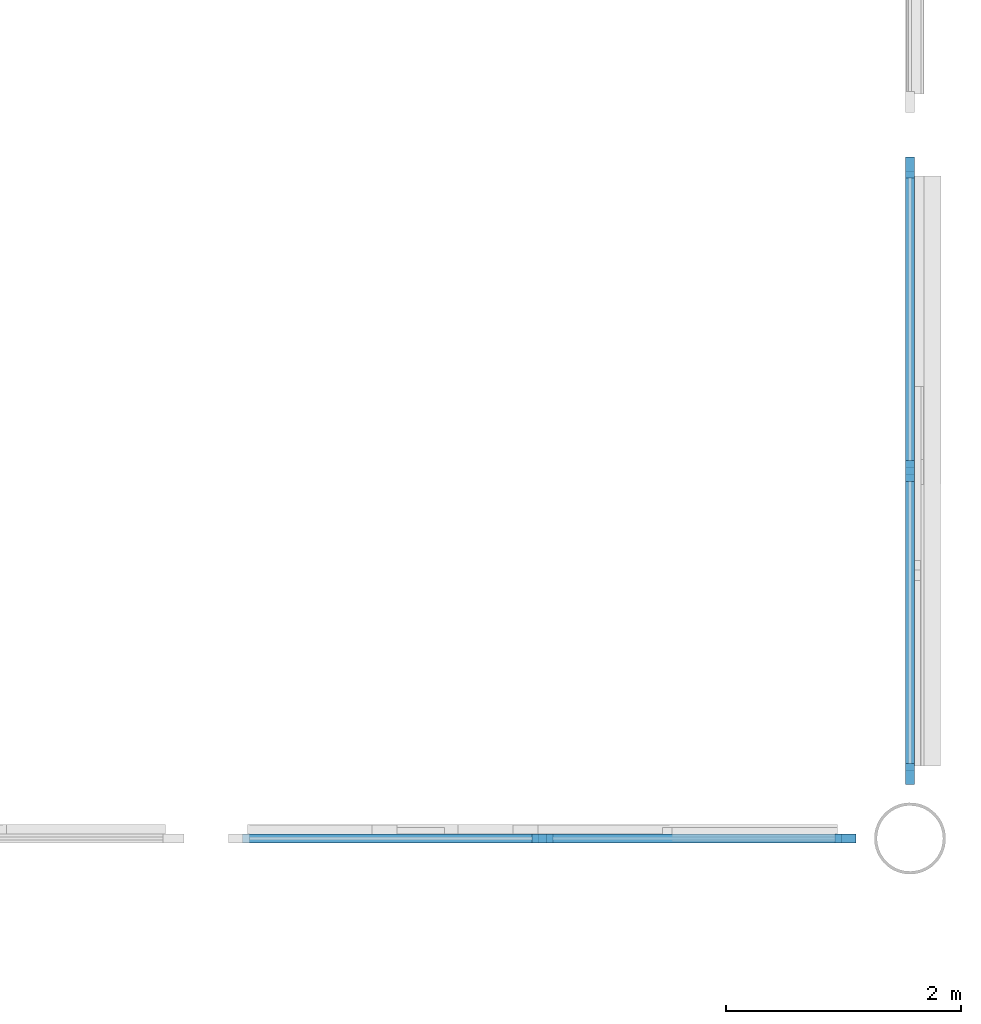
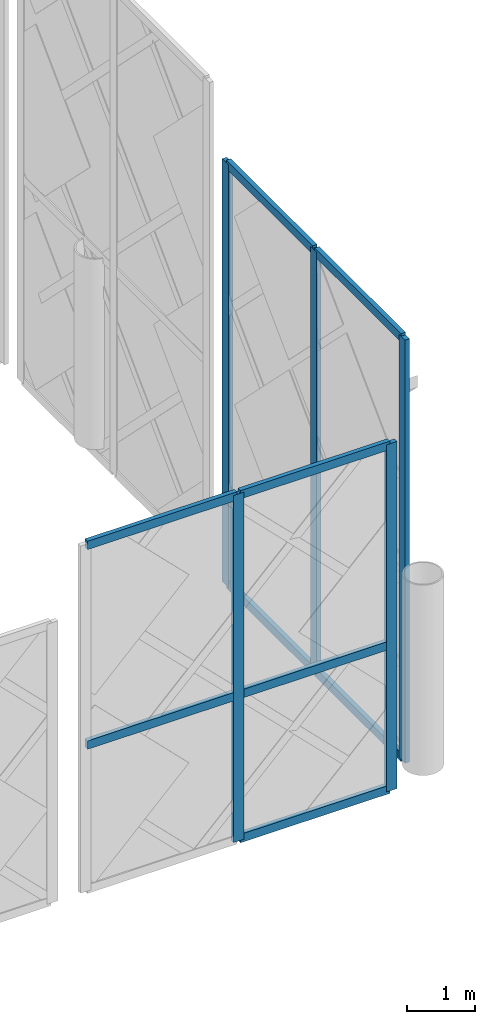
# One storey, part 18 of 53: 14 members, 2 elements without a shape of their own.
"""IFC4 building model written with IfcOpenShell, lengths in metres."""

from ifc_helpers import new_model, si_unit, direction, frame, origin, origin_2d, place, context, subcontext, project, spatial, rectangle, extrude, material, layer, layer_set, material_profile, profile_set, type_object, element, aggregate, save


model = new_model("IFC4")

# Units and contexts
model_context = context("Model", 3, precision=1e-05, world=origin(), true_north=direction((0.0, 1.0)))
body_context = subcontext(model_context, "Body", "Model", "MODEL_VIEW")
ifc_project = project(units=[si_unit("LENGTHUNIT", "METRE"), si_unit("AREAUNIT", "SQUARE_METRE"), si_unit("VOLUMEUNIT", "CUBIC_METRE"), si_unit("PLANEANGLEUNIT", "RADIAN"), si_unit("MASSUNIT", "GRAM", prefix="KILO")], contexts=[model_context])

# Site, building, storey
site_placement = place(None, origin())
site = spatial("IfcSite", under=ifc_project, at=site_placement, CompositionType="ELEMENT")
building_placement = place(site_placement, origin())
building = spatial("IfcBuilding", under=site, at=building_placement, Name="Zevrakil Square Congress Hotel", CompositionType="ELEMENT")
storey_placement = place(building_placement, frame((0.0, 0.0, 14.699951171875)))
storey = spatial("IfcBuildingStorey", under=building, at=storey_placement, Name="L04", CompositionType="ELEMENT", Elevation=14.699951171875)

# Curtain wall, members
ifc_material_1 = material(Name="Aluminium Anodised Bronze", Category="aluminium")
ifc_layer = layer(ifc_material_1, 0.179931640625)
ifc_layer_set = layer_set([ifc_layer], Name="Aluminium Anodised Bronze")
curtain_wall_type = type_object("IfcCurtainWallType", Name="CW-L01-560", PredefinedType="USERDEFINED", material=ifc_layer_set)
curtain_wall_1_placement = place(storey_placement, origin())
curtain_wall_1 = element("IfcCurtainWall", 1, at=curtain_wall_1_placement, inside=storey, type_object=curtain_wall_type, Name="L04 diamond curtain wall CW-L04-0075", ObjectType="GLAZED CURTAIN WALL", PredefinedType="USERDEFINED")
ifc_material_2 = material(Name="Aluminium Anodised Bronze", Category="aluminium")
ifc_material_profile_1 = material_profile(ifc_material_2, rectangle(XDim=0.074951171875, YDim=0.14990234375, at=origin_2d()), Name="ALU 75x150")
ifc_profile_set_1 = profile_set([ifc_material_profile_1], Name="Aluminium Anodised Bronze")
member_type_1 = type_object("IfcMemberType", Name="CWM-ALU75x150", PredefinedType="USERDEFINED", material=ifc_profile_set_1)
member_1_placement = place(storey_placement, frame((165.60009765625, 65.3798828125, -0.22998046875), z_axis=(0.0, 1.0, 0.0), x_axis=(-1.0, 0.0, 0.0)))
member_1 = element("IfcMember", 2, at=member_1_placement, type_object=member_type_1, Name="CW-08 transom 1.1", ObjectType="TRANSOM", PredefinedType="USERDEFINED", context=body_context, shape_type="SweptSolid", body=[
    extrude(rectangle(XDim=0.074951171875, YDim=0.14990234375, at=origin_2d()), origin(), (0.0, 0.0, 1.0), 2.525146484375),
])
member_2_placement = place(storey_placement, frame((165.60009765625, 65.3798828125, 7.26611328125), z_axis=(0.0, 1.0, 0.0), x_axis=(-1.0, 0.0, 0.0)))
member_2 = element("IfcMember", 3, at=member_2_placement, type_object=member_type_1, Name="CW-08 transom 1.2", ObjectType="TRANSOM", PredefinedType="USERDEFINED", context=body_context, shape_type="SweptSolid", body=[
    extrude(rectangle(XDim=0.074951171875, YDim=0.14990234375, at=origin_2d()), origin(), (0.0, 0.0, 1.0), 2.525146484375),
])
member_3_placement = place(storey_placement, frame((165.60009765625, 67.965087890625, -0.22998046875), z_axis=(0.0, 1.0, 0.0), x_axis=(-1.0, 0.0, 0.0)))
member_3 = element("IfcMember", 4, at=member_3_placement, type_object=member_type_1, Name="CW-08 transom 2.1", ObjectType="TRANSOM", PredefinedType="USERDEFINED", context=body_context, shape_type="SweptSolid", body=[
    extrude(rectangle(XDim=0.074951171875, YDim=0.14990234375, at=origin_2d()), origin(), (0.0, 0.0, 1.0), 2.52490234375),
])
member_4_placement = place(storey_placement, frame((165.60009765625, 67.965087890625, 7.26611328125), z_axis=(0.0, 1.0, 0.0), x_axis=(-1.0, 0.0, 0.0)))
member_4 = element("IfcMember", 5, at=member_4_placement, type_object=member_type_1, Name="CW-08 transom 2.2", ObjectType="TRANSOM", PredefinedType="USERDEFINED", context=body_context, shape_type="SweptSolid", body=[
    extrude(rectangle(XDim=0.074951171875, YDim=0.14990234375, at=origin_2d()), origin(), (0.0, 0.0, 1.0), 2.52490234375),
])

curtain_wall_2_placement = place(storey_placement, origin())
curtain_wall_2 = element("IfcCurtainWall", 6, at=curtain_wall_2_placement, inside=storey, type_object=curtain_wall_type, Name="L04 diamond curtain wall CW-L04-0090", ObjectType="GLAZED CURTAIN WALL", PredefinedType="USERDEFINED")
member_5_placement = place(storey_placement, frame((159.909912109375, 64.800048828125, 2.343994140625), z_axis=(1.0, 0.0, 0.0), x_axis=(0.0, 1.0, 0.0)))
member_5 = element("IfcMember", 7, at=member_5_placement, type_object=member_type_1, Name="CW-08 transom 1.2", ObjectType="TRANSOM", PredefinedType="USERDEFINED", context=body_context, shape_type="SweptSolid", body=[
    extrude(rectangle(XDim=0.074951171875, YDim=0.14990234375, at=origin_2d()), origin(), (0.0, 0.0, 1.0), 2.525146484375),
])
member_6_placement = place(storey_placement, frame((159.909912109375, 64.800048828125, 5.91015625), z_axis=(1.0, 0.0, 0.0), x_axis=(0.0, 1.0, 0.0)))
member_6 = element("IfcMember", 8, at=member_6_placement, type_object=member_type_1, Name="CW-08 transom 1.3", ObjectType="TRANSOM", PredefinedType="USERDEFINED", context=body_context, shape_type="SweptSolid", body=[
    extrude(rectangle(XDim=0.074951171875, YDim=0.14990234375, at=origin_2d()), origin(), (0.0, 0.0, 1.0), 2.525146484375),
])
member_7_placement = place(storey_placement, frame((162.4951171875, 64.800048828125, -0.22998046875), z_axis=(1.0, 0.0, 0.0), x_axis=(0.0, 1.0, 0.0)))
member_7 = element("IfcMember", 9, at=member_7_placement, type_object=member_type_1, Name="CW-08 transom 2.1", ObjectType="TRANSOM", PredefinedType="USERDEFINED", context=body_context, shape_type="SweptSolid", body=[
    extrude(rectangle(XDim=0.074951171875, YDim=0.14990234375, at=origin_2d()), origin(), (0.0, 0.0, 1.0), 2.52490234375),
])
member_8_placement = place(storey_placement, frame((162.4951171875, 64.800048828125, 2.343994140625), z_axis=(1.0, 0.0, 0.0), x_axis=(0.0, 1.0, 0.0)))
member_8 = element("IfcMember", 10, at=member_8_placement, type_object=member_type_1, Name="CW-08 transom 2.2", ObjectType="TRANSOM", PredefinedType="USERDEFINED", context=body_context, shape_type="SweptSolid", body=[
    extrude(rectangle(XDim=0.074951171875, YDim=0.14990234375, at=origin_2d()), origin(), (0.0, 0.0, 1.0), 2.52490234375),
])
member_9_placement = place(storey_placement, frame((162.4951171875, 64.800048828125, 5.91015625), z_axis=(1.0, 0.0, 0.0), x_axis=(0.0, 1.0, 0.0)))
member_9 = element("IfcMember", 11, at=member_9_placement, type_object=member_type_1, Name="CW-08 transom 2.3", ObjectType="TRANSOM", PredefinedType="USERDEFINED", context=body_context, shape_type="SweptSolid", body=[
    extrude(rectangle(XDim=0.074951171875, YDim=0.14990234375, at=origin_2d()), origin(), (0.0, 0.0, 1.0), 2.52490234375),
])

# Member
ifc_material_3 = material(Name="Aluminium Anodised Bronze", Category="aluminium")
ifc_material_profile_2 = material_profile(ifc_material_3, rectangle(XDim=0.074951171875, YDim=0.179931640625, at=origin_2d()), Name="ALU 75x180")
ifc_profile_set_2 = profile_set([ifc_material_profile_2], Name="Aluminium Anodised Bronze")
member_type_2 = type_object("IfcMemberType", Name="CWM-ALU75x180", PredefinedType="MULLION", material=ifc_profile_set_2)
member_10_placement = place(storey_placement, frame((165.60009765625, 65.35009765625, -0.260009765625), z_axis=(0.0, 0.0, 1.0), x_axis=(-1.0, 0.0, 0.0)))
member_10 = element("IfcMember", 12, at=member_10_placement, type_object=member_type_2, Name="CW-08 mullion 1", PredefinedType="MULLION", context=body_context, shape_type="SweptSolid", body=[
    extrude(rectangle(XDim=0.074951171875, YDim=0.179931640625, at=origin_2d()), origin(), (0.0, 0.0, 1.0), 7.55615234375),
])

member_11_placement = place(storey_placement, frame((165.60009765625, 67.93505859375, -0.260009765625), z_axis=(0.0, 0.0, 1.0), x_axis=(-1.0, 0.0, 0.0)))
member_11 = element("IfcMember", 13, at=member_11_placement, type_object=member_type_2, Name="CW-08 mullion 2", PredefinedType="MULLION", context=body_context, shape_type="SweptSolid", body=[
    extrude(rectangle(XDim=0.074951171875, YDim=0.179931640625, at=origin_2d()), origin(), (0.0, 0.0, 1.0), 7.55615234375),
])

member_12_placement = place(storey_placement, frame((165.60009765625, 70.52001953125, -0.260009765625), z_axis=(0.0, 0.0, 1.0), x_axis=(-1.0, 0.0, 0.0)))
member_12 = element("IfcMember", 14, at=member_12_placement, type_object=member_type_2, Name="CW-08 mullion 3", PredefinedType="MULLION", context=body_context, shape_type="SweptSolid", body=[
    extrude(rectangle(XDim=0.074951171875, YDim=0.179931640625, at=origin_2d()), origin(), (0.0, 0.0, 1.0), 7.55615234375),
])

aggregate(curtain_wall_1, [member_10, member_11, member_12, member_1, member_2, member_3, member_4])

member_13_placement = place(storey_placement, frame((162.465087890625, 64.800048828125, -0.260009765625), z_axis=(0.0, 0.0, 1.0), x_axis=(0.0, 1.0, 0.0)))
member_13 = element("IfcMember", 15, at=member_13_placement, type_object=member_type_2, Name="CW-08 mullion 2", PredefinedType="MULLION", context=body_context, shape_type="SweptSolid", body=[
    extrude(rectangle(XDim=0.074951171875, YDim=0.179931640625, at=origin_2d()), origin(), (0.0, 0.0, 1.0), 6.199951171875),
])

member_14_placement = place(storey_placement, frame((165.050048828125, 64.800048828125, -0.260009765625), z_axis=(0.0, 0.0, 1.0), x_axis=(0.0, 1.0, 0.0)))
member_14 = element("IfcMember", 16, at=member_14_placement, type_object=member_type_2, Name="CW-08 mullion 3", PredefinedType="MULLION", context=body_context, shape_type="SweptSolid", body=[
    extrude(rectangle(XDim=0.074951171875, YDim=0.179931640625, at=origin_2d()), origin(), (0.0, 0.0, 1.0), 6.199951171875),
])

aggregate(curtain_wall_2, [member_13, member_14, member_5, member_6, member_7, member_8, member_9])

save(model, "model.ifc")
